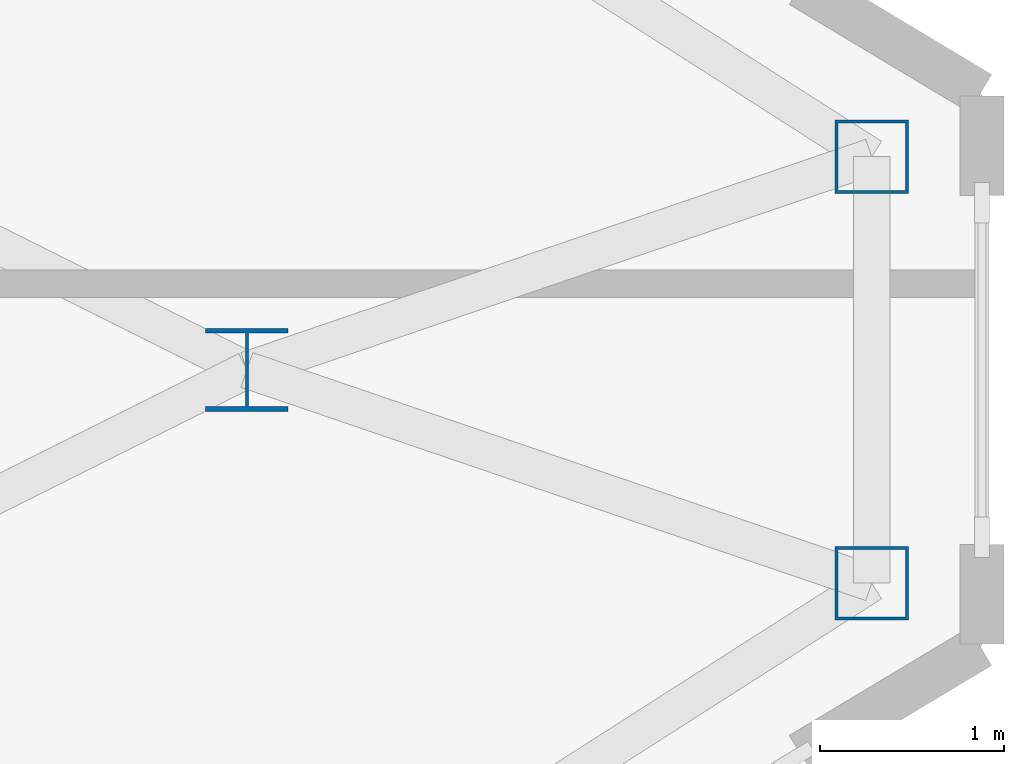
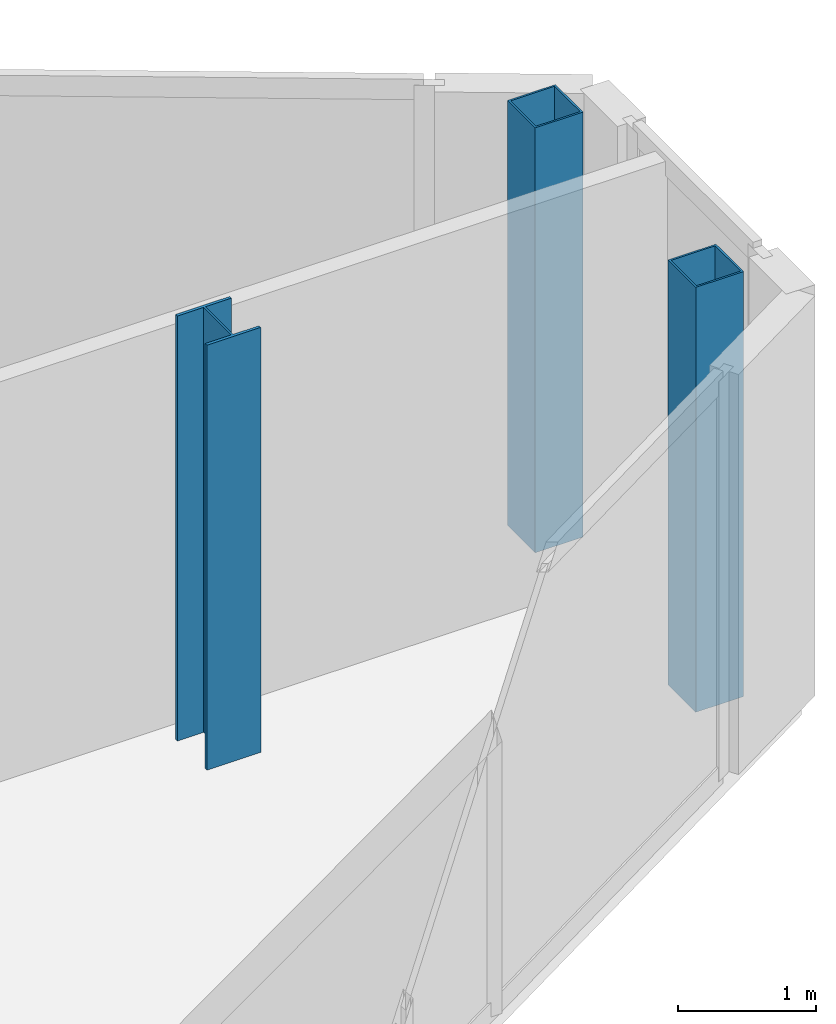
# One storey, part 7 of 29: 3 columns.
"""IFC4 building model written with IfcOpenShell, lengths in metres."""

import ifcopenshell
import ifcopenshell.guid

model = None  # the IFC model being written
_history = None  # IfcOwnerHistory: only IFC2X3 demands one
_inside = {}  # id of a spatial element -> (the spatial element, [elements in it])
_under = {}  # id of a project, library or spatial element -> (it, [spatial elements below it])
_declared = {}  # id of a project -> (the project, [libraries it declares])
_typed = {}  # id of a type object -> (the type object, [elements of that type])
_made_of = {}  # id of a material, layer set ... -> (it, [elements and type objects made of it])


def new_model(schema):
    """Start an empty IFC model of exactly this schema.

    Asked for "IFC4X3", IfcOpenShell would pick the latest addendum, in which some entities
    have other attributes; the version numbers below select the first issue.
    IFC2X3 requires an IfcOwnerHistory on every rooted entity: one is made here for all.
    """
    global model, _history
    if schema == "IFC4X3":
        model = ifcopenshell.file(schema_version=(4, 3, 0, 0))
    else:
        model = ifcopenshell.file(schema=schema)
    _inside.clear()
    _under.clear()
    _declared.clear()
    _typed.clear()
    _made_of.clear()
    _history = None
    if model.schema == "IFC2X3":
        org = make("IfcOrganization", Name="unknown")
        user = make(
            "IfcPersonAndOrganization",
            ThePerson=make("IfcPerson", FamilyName="unknown"),
            TheOrganization=org,
        )
        app = make(
            "IfcApplication",
            ApplicationDeveloper=org,
            Version="unknown",
            ApplicationFullName="unknown",
            ApplicationIdentifier="unknown",
        )
        _history = make(
            "IfcOwnerHistory",
            OwningUser=user,
            OwningApplication=app,
            ChangeAction="ADDED",
            CreationDate=0,
        )
    return model


def make(cls, **values):
    """One entity of the class cls with the attributes given. An attribute that is None is left unset."""
    return model.create_entity(
        cls, **{name: value for name, value in values.items() if value is not None}
    )


def rooted(cls, **values):
    """An entity with a GlobalId (a new one), such as an element, a storey or a relation."""
    return make(cls, GlobalId=ifcopenshell.guid.new(), OwnerHistory=_history, **values)


def si_unit(unit_type, name, prefix=None):
    """IfcSIUnit, for example si_unit("LENGTHUNIT", "METRE", prefix="MILLI")."""
    return make("IfcSIUnit", UnitType=unit_type, Prefix=prefix, Name=name)


def assignment(units):
    """IfcUnitAssignment: the units of a project."""
    return None if units is None else make("IfcUnitAssignment", Units=units)


def point(xyz):
    """IfcCartesianPoint."""
    return None if xyz is None else make("IfcCartesianPoint", Coordinates=xyz)


def direction(xyz):
    """IfcDirection."""
    return None if xyz is None else make("IfcDirection", DirectionRatios=xyz)


def frame(location, z_axis=None, x_axis=None):
    """IfcAxis2Placement3D, a coordinate frame: its origin and axes. An axis left out is left unset."""
    return make(
        "IfcAxis2Placement3D",
        Location=point(location),
        Axis=direction(z_axis),
        RefDirection=direction(x_axis),
    )


def frame_2d(location, x_axis=None):
    """IfcAxis2Placement2D, a coordinate frame in the plane: its origin and x axis."""
    return make(
        "IfcAxis2Placement2D", Location=point(location), RefDirection=direction(x_axis)
    )


def origin():
    """The frame at (0, 0, 0) with its axes left unset."""
    return frame((0.0, 0.0, 0.0))


def origin_2d():
    """The frame at (0, 0) in the plane with its x axis left unset."""
    return frame_2d((0.0, 0.0))


def place(relative_to, where):
    """IfcLocalPlacement: puts the frame where relative to a parent placement (None: the world)."""
    return make(
        "IfcLocalPlacement", PlacementRelTo=relative_to, RelativePlacement=where
    )


def context(
    kind, dimensions, precision=None, world=None, true_north=None, identifier=None
):
    """IfcGeometricRepresentationContext, for example the 3D "Model" context."""
    return make(
        "IfcGeometricRepresentationContext",
        ContextIdentifier=identifier,
        ContextType=kind,
        CoordinateSpaceDimension=dimensions,
        Precision=precision,
        WorldCoordinateSystem=world,
        TrueNorth=true_north,
    )


def subcontext(parent, identifier, kind, view, scale=None):
    """IfcGeometricRepresentationSubContext, for example "Body" below "Model"."""
    return make(
        "IfcGeometricRepresentationSubContext",
        ContextIdentifier=identifier,
        ContextType=kind,
        ParentContext=parent,
        TargetScale=scale,
        TargetView=view,
    )


def project(units=None, contexts=None):
    """IfcProject with its units and contexts."""
    return rooted(
        "IfcProject",
        Name="project",
        RepresentationContexts=contexts,
        UnitsInContext=assignment(units),
    )


def spatial(cls, under=None, at=None, **own):
    """A site, building, storey or space (cls), placed at a placement, below another one or the project."""
    s = rooted(cls, ObjectPlacement=at, **own)
    if under is not None:
        _under.setdefault(under.id(), (under, []))[1].append(s)
    return s


def profile(cls, at=None, kind="AREA", **sizes):
    """A parametric profile (cls). Its sizes go by their IFC names, for example OverallWidth=200.0."""
    return make(cls, ProfileType=kind, Position=at, **sizes)


def hollow_rectangle(**sizes):
    """IfcRectangleHollowProfileDef."""
    return profile("IfcRectangleHollowProfileDef", **sizes)


def i_section(**sizes):
    """IfcIShapeProfileDef."""
    return profile("IfcIShapeProfileDef", **sizes)


def extrude(swept, where, along, depth):
    """IfcExtrudedAreaSolid: the profile swept, set in the frame where, extruded along a direction by depth."""
    return make(
        "IfcExtrudedAreaSolid",
        SweptArea=swept,
        Position=where,
        ExtrudedDirection=direction(along),
        Depth=depth,
    )


def shape(context_of_items, identifier, shape_type, items):
    """IfcShapeRepresentation: the items that make up one representation, for example the "Body"."""
    return make(
        "IfcShapeRepresentation",
        ContextOfItems=context_of_items,
        RepresentationIdentifier=identifier,
        RepresentationType=shape_type,
        Items=items,
    )


def source(mapping_origin, context_of_items, identifier, shape_type, items):
    """IfcRepresentationMap: a shape defined once, which mapped items show again and again."""
    return make(
        "IfcRepresentationMap",
        MappingOrigin=mapping_origin,
        MappedRepresentation=shape(context_of_items, identifier, shape_type, items),
    )


def transform(
    local_origin,
    x_axis=None,
    y_axis=None,
    z_axis=None,
    scale=None,
    scale2=None,
    scale3=None,
    uniform=True,
):
    """IfcCartesianTransformationOperator3D, or its non-uniform kind. x_axis, y_axis, z_axis: its Axis1, 2, 3."""
    if uniform:
        return make(
            "IfcCartesianTransformationOperator3D",
            Axis1=direction(x_axis),
            Axis2=direction(y_axis),
            LocalOrigin=point(local_origin),
            Scale=scale,
            Axis3=direction(z_axis),
        )
    return make(
        "IfcCartesianTransformationOperator3DnonUniform",
        Axis1=direction(x_axis),
        Axis2=direction(y_axis),
        LocalOrigin=point(local_origin),
        Scale=scale,
        Axis3=direction(z_axis),
        Scale2=scale2,
        Scale3=scale3,
    )


def mapped(mapping_source, mapping_target):
    """IfcMappedItem: shows the shape of a source again, moved by a transform."""
    return make(
        "IfcMappedItem", MappingSource=mapping_source, MappingTarget=mapping_target
    )


def material(Name=None, Category=None):
    """IfcMaterial."""
    return make("IfcMaterial", Name=Name, Category=Category)


def material_profile(
    of_material, cross_section, Name=None, Category=None, Priority=None
):
    """IfcMaterialProfile: a cross section and its material."""
    return make(
        "IfcMaterialProfile",
        Name=Name,
        Material=of_material,
        Profile=cross_section,
        Priority=Priority,
        Category=Category,
    )


def profile_set(profiles, Name=None, composite=None):
    """IfcMaterialProfileSet."""
    return make(
        "IfcMaterialProfileSet",
        Name=Name,
        MaterialProfiles=profiles,
        CompositeProfile=composite,
    )


def made_of(thing, what):
    """Note that an element or type object is made of a material, layer set ...; save() writes the relation."""
    if what is not None:
        _made_of.setdefault(what.id(), (what, []))[1].append(thing)
    return thing


def type_object(cls, material=None, **own):
    """A type object (cls), such as IfcWallType, which elements share."""
    return made_of(rooted(cls, **own), material)


def type_shapes(of_type, sources):
    """Give a type object the sources (RepresentationMaps) that its elements show as mapped items."""
    of_type.RepresentationMaps = sources


def element(
    cls,
    number,
    at=None,
    inside=None,
    cuts=None,
    type_object=None,
    material=None,
    context=None,
    identifier="Body",
    shape_type=None,
    held_by="IfcProductDefinitionShape",
    body=None,
    shapes=None,
    **own,
):
    """One element of the class cls, such as IfcWall. Its Tag is "e" and its number.

    at: its placement. inside: the storey or other place that contains it. cuts: it is an
    opening in that element (IfcRelVoidsElement). A single representation is given by context,
    identifier, shape_type and body (its items); several are given by shapes. held_by: the class
    of the entity that holds the representations. save() writes the other relations.
    """
    e = rooted(cls, Tag="e%d" % number, ObjectPlacement=at, **own)
    if body is not None:
        shapes = [shape(context, identifier, shape_type, body)]
    if shapes is not None:
        e.Representation = make(held_by, Representations=shapes)
    if inside is not None:
        _inside.setdefault(inside.id(), (inside, []))[1].append(e)
    if cuts is not None:
        rooted(
            "IfcRelVoidsElement", RelatingBuildingElement=cuts, RelatedOpeningElement=e
        )
    if type_object is not None:
        _typed.setdefault(type_object.id(), (type_object, []))[1].append(e)
    return made_of(e, material)


def aggregate(whole, parts):
    """IfcRelAggregates: a whole, such as a stair, and the parts it consists of."""
    return rooted("IfcRelAggregates", RelatingObject=whole, RelatedObjects=parts)


def save(model, path):
    """Write the relations noted so far, then the file.

    IfcRelAggregates (storeys below a building ...), IfcRelContainedInSpatialStructure (elements
    in a storey), IfcRelDefinesByType, IfcRelAssociatesMaterial and IfcRelDeclares: one each for
    every whole, place, type object, material and project.
    """
    for whole, parts in _under.values():
        aggregate(whole, parts)
    for where, things in _inside.values():
        rooted(
            "IfcRelContainedInSpatialStructure",
            RelatedElements=things,
            RelatingStructure=where,
        )
    for kind, things in _typed.values():
        rooted("IfcRelDefinesByType", RelatedObjects=things, RelatingType=kind)
    for what, things in _made_of.values():
        rooted("IfcRelAssociatesMaterial", RelatedObjects=things, RelatingMaterial=what)
    for by, libraries in _declared.values():
        rooted("IfcRelDeclares", RelatingContext=by, RelatedDefinitions=libraries)
    model.write(path)


model = new_model("IFC4")

# Units and contexts
model_context = context("Model", 3, precision=1e-05, world=origin(), true_north=direction((0.0, 1.0)))
body_context = subcontext(model_context, "Body", "Model", "MODEL_VIEW")
ifc_project = project(units=[si_unit("LENGTHUNIT", "METRE"), si_unit("AREAUNIT", "SQUARE_METRE"), si_unit("VOLUMEUNIT", "CUBIC_METRE"), si_unit("PLANEANGLEUNIT", "RADIAN"), si_unit("MASSUNIT", "GRAM", prefix="KILO")], contexts=[model_context])

# Site, building, storey
site_placement = place(None, origin())
site = spatial("IfcSite", under=ifc_project, at=site_placement, CompositionType="ELEMENT")
building_placement = place(site_placement, origin())
building = spatial("IfcBuilding", under=site, at=building_placement, Name="Seokmaru Belvedere", CompositionType="ELEMENT")
storey_placement = place(building_placement, frame((0.0, 0.0, 254.39990234375)))
storey = spatial("IfcBuildingStorey", under=building, at=storey_placement, Name="L67", CompositionType="ELEMENT", Elevation=254.39990234375)

# Columns
ifc_material = material(Name="Steel SM355 (355 MPa)", Category="steel")
ifc_material_profile_1 = material_profile(ifc_material, i_section(OverallWidth=0.449951171875, OverallDepth=0.449951171875, WebThickness=0.01611328125, FlangeThickness=0.02490234375, at=origin_2d()), Name="H-450x450x16x25")
ifc_profile_set_1 = profile_set([ifc_material_profile_1], Name="Steel SM355 (355 MPa)")
column_type_1 = type_object("IfcColumnType", Name="Sky-Gate Column H-450", PredefinedType="COLUMN", material=ifc_profile_set_1)
shared_shape_1 = source(origin(), body_context, "Body", "SweptSolid", [
    extrude(i_section(OverallWidth=0.449951171875, OverallDepth=0.449951171875, WebThickness=0.01611328125, FlangeThickness=0.02490234375, at=origin_2d()), origin(), (0.0, 0.0, 1.0), 3.75),
])
type_shapes(column_type_1, [shared_shape_1])
column_placement = place(storey_placement, frame((63.5, 0.0, 0.0), z_axis=(0.0, 0.0, 1.0), x_axis=(1.0, 0.0, 0.0)))
element("IfcColumn", 1, at=column_placement, inside=storey, type_object=column_type_1, Name="L67 Column EG3P_1", PredefinedType="COLUMN", context=body_context, shape_type="MappedRepresentation", body=[
    mapped(shared_shape_1, transform((0.0, 0.0, 0.0), scale=1.0)),
])
ifc_material_profile_2 = material_profile(ifc_material, hollow_rectangle(XDim=0.39990234375, YDim=0.39990234375, WallThickness=0.01611328125, at=origin_2d()), Name="HSS-400x400x16")
ifc_profile_set_2 = profile_set([ifc_material_profile_2], Name="Steel SM355 (355 MPa)")
column_type_2 = type_object("IfcColumnType", Name="Perimeter Facet Column HSS-400", PredefinedType="COLUMN", material=ifc_profile_set_2)
shared_shape_2 = source(origin(), body_context, "Body", "SweptSolid", [
    extrude(hollow_rectangle(XDim=0.39990234375, YDim=0.39990234375, WallThickness=0.01611328125, at=origin_2d()), origin(), (0.0, 0.0, 1.0), 3.75),
])
type_shapes(column_type_2, [shared_shape_2])
for number, where, z_axis, x_axis, name in (
    (2, (66.89990234375, -1.160400390625, 0.0), (0.0, 0.0, 1.0), (1.0, 0.0, 0.0), "L67 Column EF2"),
    (3, (66.89990234375, 1.160400390625, 0.0), (0.0, 0.0, 1.0), (1.0, 0.0, 0.0), "L67 Column EF3"),
):
    element("IfcColumn", number, at=place(storey_placement, frame(where, z_axis=z_axis, x_axis=x_axis)), inside=storey, type_object=column_type_2, Name=name, PredefinedType="COLUMN", context=body_context, shape_type="MappedRepresentation", body=[
        mapped(shared_shape_2, transform((0.0, 0.0, 0.0), scale=1.0)),
    ])

save(model, "model.ifc")
